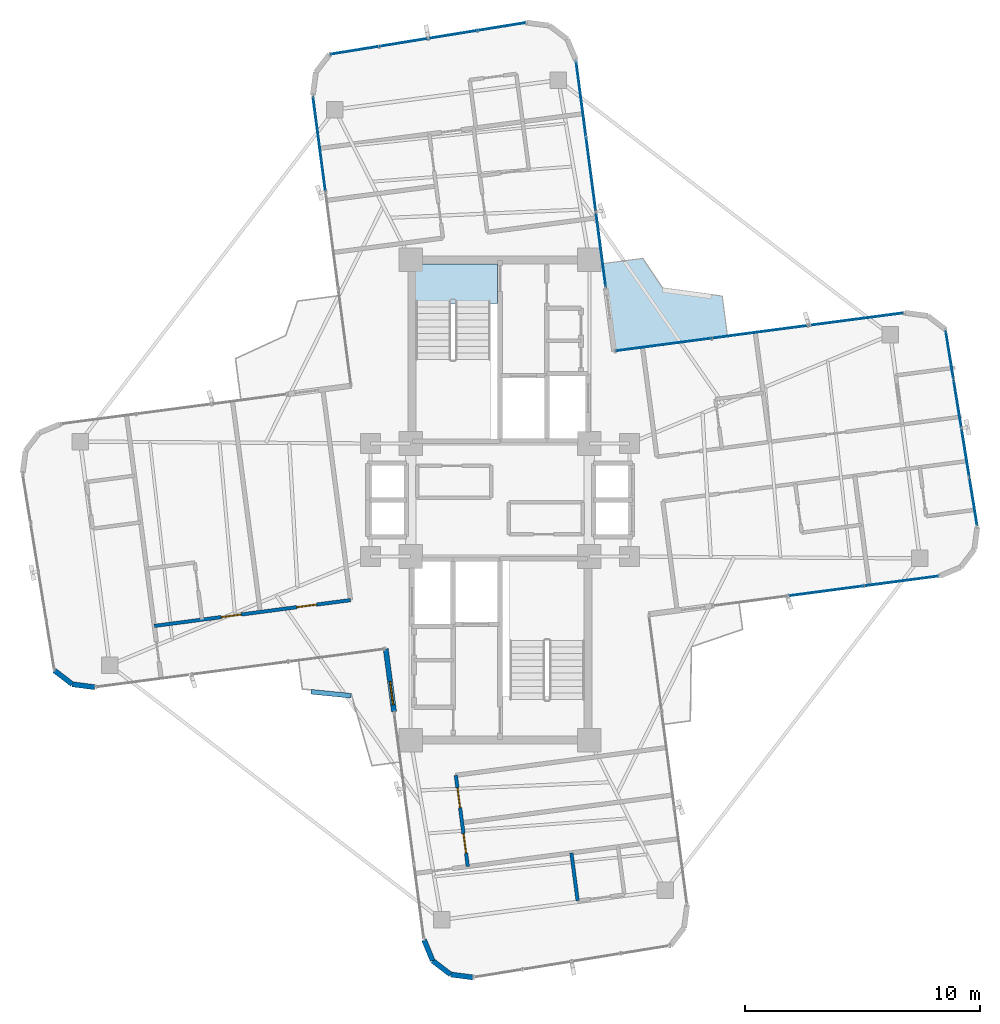
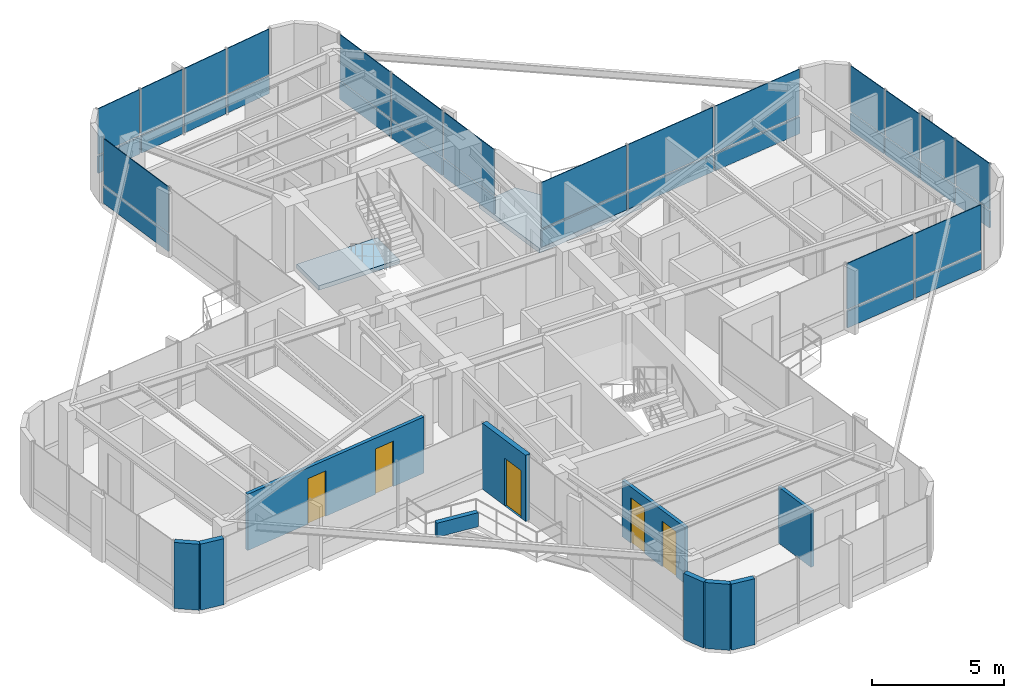
# One storey, part 18 of 23: 34 plates, 10 walls, 5 doors, 2 slabs, 5 openings, 6 elements without a shape of their own.
"""IFC4 building model written with IfcOpenShell, lengths in metres."""

from ifc_helpers import new_model, si_unit, direction, frame, frame_2d, origin, origin_2d, place, context, subcontext, project, spatial, polyline, rectangle, outline, extrude, source, transform, mapped, material, layer, layer_set, type_object, element, fill, aggregate, save


model = new_model("IFC4")

# Units and contexts
model_context = context("Model", 3, precision=1e-05, world=origin(), true_north=direction((0.0, 1.0)))
body_context = subcontext(model_context, "Body", "Model", "MODEL_VIEW")
ifc_project = project(units=[si_unit("LENGTHUNIT", "METRE"), si_unit("AREAUNIT", "SQUARE_METRE"), si_unit("VOLUMEUNIT", "CUBIC_METRE"), si_unit("PLANEANGLEUNIT", "RADIAN"), si_unit("MASSUNIT", "GRAM", prefix="KILO")], contexts=[model_context])

# Site, building, storey
site_placement = place(None, origin())
site = spatial("IfcSite", under=ifc_project, at=site_placement, CompositionType="ELEMENT")
building_placement = place(site_placement, origin())
building = spatial("IfcBuilding", under=site, at=building_placement, Name="Sahyath Konkavel Grand Hotel", CompositionType="ELEMENT")
storey_placement = place(building_placement, frame((0.0, 0.0, 226.60009765625)))
storey = spatial("IfcBuildingStorey", under=building, at=storey_placement, Name="L63", CompositionType="ELEMENT", Elevation=226.60009765625)

# Slabs
ifc_material_1 = material(Name="Concrete C40/50", Category="concrete")
ifc_layer_1 = layer(ifc_material_1, 0.219970703125)
ifc_layer_set_1 = layer_set([ifc_layer_1], Name="Concrete C40/50")
slab_type_1 = type_object("IfcSlabType", Name="SLB-BALCONY-220", PredefinedType="FLOOR", material=ifc_layer_set_1)
slab_1_placement = place(storey_placement, frame((0.0, 0.0, -0.22021484375)))
element("IfcSlab", 1, at=slab_1_placement, inside=storey, type_object=slab_type_1, Name="L63 Winter-Garden Balcony NE", PredefinedType="FLOOR", context=body_context, shape_type="SweptSolid", body=[
    extrude(outline(polyline([(4.85400390625, 6.32568359375), (9.665283203125, 6.958984375), (9.44091796875, 8.6630859375), (6.908935546875, 9.00390625), (6.068603515625, 10.264892578125), (4.36474609375, 10.04052734375), (4.85400390625, 6.32568359375)])), origin(), (0.0, 0.0, 1.0), 0.22021484375),
])
ifc_layer_2 = layer(ifc_material_1, 0.199951171875)
ifc_layer_set_2 = layer_set([ifc_layer_2], Name="Concrete C40/50")
slab_type_2 = type_object("IfcSlabType", Name="SLB-STAIR-LND", PredefinedType="LANDING", material=ifc_layer_set_2)
slab_2_placement = place(storey_placement, frame((0.0, 0.0, -0.2001953125)))
element("IfcSlab", 2, at=slab_2_placement, inside=storey, type_object=slab_type_2, Name="L63 Stair ST-1 Floor Landing Slab", PredefinedType="LANDING", context=body_context, shape_type="SweptSolid", body=[
    extrude(outline(polyline([(-3.6201171875, 8.35009765625), (-0.10009765625, 8.35009765625), (-0.10009765625, 10.02001953125), (-3.6201171875, 10.02001953125), (-3.6201171875, 8.35009765625)])), origin(), (0.0, 0.0, 1.0), 0.2001953125),
])

# Curtain wall, plates
ifc_material_2 = material(Name="Anodised Bronze Aluminium & Low-E Glazing", Category="aluminium")
curtain_wall_type = type_object("IfcCurtainWallType", Name="CW-ZONE4", PredefinedType="NOTDEFINED", material=ifc_material_2)
curtain_wall_1_placement = place(storey_placement, origin())
curtain_wall_1 = element("IfcCurtainWall", 3, at=curtain_wall_1_placement, inside=storey, type_object=curtain_wall_type, Name="L63 Unitised Curtain Wall F0", PredefinedType="NOTDEFINED")
ifc_material_3 = material(Name="Warm Buff Sandstone Cladding", Category="masonry")
ifc_layer_3 = layer(ifc_material_3, 0.074951171875)
ifc_layer_set_3 = layer_set([ifc_layer_3], Name="Warm Buff Sandstone Cladding")
plate_type_1 = type_object("IfcPlateType", Name="PNL-SPANDREL-STONE", PredefinedType="SHEET", material=ifc_layer_set_3)
shared_shape_1 = source(origin(), body_context, "Body", "SweptSolid", [
    extrude(rectangle(XDim=3.150634765625, YDim=0.074951171875, at=origin_2d()), origin(), (0.0, 0.0, 1.0), 0.77001953125),
])
plate_1_placement = place(storey_placement, frame((13.8466796875, -3.86376953125, 0.039794921875), z_axis=(0.0, 0.0, 1.0), x_axis=(0.991442583111, 0.130543496177, 0.0)))
plate_1 = element("IfcPlate", 4, at=plate_1_placement, type_object=plate_type_1, Name="L63 Sandstone Relief Spandrel Panel F0-1", PredefinedType="SHEET", context=body_context, shape_type="MappedRepresentation", body=[
    mapped(shared_shape_1, transform((0.0, 0.0, 0.0), scale=1.0)),
])
plate_2_placement = place(storey_placement, frame((17.0498046875, -3.44189453125, 0.039794921875), z_axis=(0.0, 0.0, 1.0), x_axis=(0.991442583111, 0.130543496177, 0.0)))
plate_2 = element("IfcPlate", 5, at=plate_2_placement, type_object=plate_type_1, Name="L63 Sandstone Relief Spandrel Panel F0-2", PredefinedType="SHEET", context=body_context, shape_type="MappedRepresentation", body=[
    mapped(shared_shape_1, transform((0.0, 0.0, 0.0), scale=1.0)),
])

curtain_wall_2_placement = place(storey_placement, origin())
curtain_wall_2 = element("IfcCurtainWall", 6, at=curtain_wall_2_placement, inside=storey, type_object=curtain_wall_type, Name="L63 Unitised Curtain Wall F8", PredefinedType="NOTDEFINED")
plate_3_placement = place(storey_placement, frame((4.285400390625, 10.643798828125, 0.039794921875), z_axis=(0.0, 0.0, 1.0), x_axis=(-0.130543496177, 0.991442583111, 0.0)))
plate_3 = element("IfcPlate", 7, at=plate_3_placement, type_object=plate_type_1, Name="L63 Sandstone Relief Spandrel Panel F8-0", PredefinedType="SHEET", context=body_context, shape_type="MappedRepresentation", body=[
    mapped(shared_shape_1, transform((0.0, 0.0, 0.0), scale=1.0)),
])
plate_4_placement = place(storey_placement, frame((3.86376953125, 13.8466796875, 0.039794921875), z_axis=(0.0, 0.0, 1.0), x_axis=(-0.130543496177, 0.991442583111, 0.0)))
plate_4 = element("IfcPlate", 8, at=plate_4_placement, type_object=plate_type_1, Name="L63 Sandstone Relief Spandrel Panel F8-1", PredefinedType="SHEET", context=body_context, shape_type="MappedRepresentation", body=[
    mapped(shared_shape_1, transform((0.0, 0.0, 0.0), scale=1.0)),
])
plate_5_placement = place(storey_placement, frame((3.44189453125, 17.0498046875, 0.039794921875), z_axis=(0.0, 0.0, 1.0), x_axis=(-0.130543496177, 0.991442583111, 0.0)))
plate_5 = element("IfcPlate", 9, at=plate_5_placement, type_object=plate_type_1, Name="L63 Sandstone Relief Spandrel Panel F8-2", PredefinedType="SHEET", context=body_context, shape_type="MappedRepresentation", body=[
    mapped(shared_shape_1, transform((0.0, 0.0, 0.0), scale=1.0)),
])

# Plate
ifc_material_4 = material(Name="Low-E Solar Control Double Glazing", Category="glass")
ifc_layer_4 = layer(ifc_material_4, 0.035888671875)
ifc_layer_set_4 = layer_set([ifc_layer_4], Name="Low-E Solar Control Double Glazing")
plate_type_2 = type_object("IfcPlateType", Name="PNL-VISION-LOWE", PredefinedType="CURTAIN_PANEL", material=ifc_layer_set_4)
shared_shape_2 = source(origin(), body_context, "Body", "SweptSolid", [
    extrude(rectangle(XDim=3.150634765625, YDim=0.035888671875, at=origin_2d()), origin(), (0.0, 0.0, 1.0), 2.1201171875),
])
plate_6_placement = place(storey_placement, frame((13.8466796875, -3.86376953125, 0.889892578125), z_axis=(0.0, 0.0, 1.0), x_axis=(0.991442583111, 0.130543496177, 0.0)))
plate_6 = element("IfcPlate", 10, at=plate_6_placement, type_object=plate_type_2, Name="L63 Low-E Vision Glazing Panel F0-1", PredefinedType="CURTAIN_PANEL", context=body_context, shape_type="MappedRepresentation", body=[
    mapped(shared_shape_2, transform((0.0, 0.0, 0.0), scale=1.0)),
])

plate_7_placement = place(storey_placement, frame((17.0498046875, -3.44189453125, 0.889892578125), z_axis=(0.0, 0.0, 1.0), x_axis=(0.991442583111, 0.130543496177, 0.0)))
plate_7 = element("IfcPlate", 11, at=plate_7_placement, type_object=plate_type_2, Name="L63 Low-E Vision Glazing Panel F0-2", PredefinedType="CURTAIN_PANEL", context=body_context, shape_type="MappedRepresentation", body=[
    mapped(shared_shape_2, transform((0.0, 0.0, 0.0), scale=1.0)),
])

aggregate(curtain_wall_1, [plate_1, plate_6, plate_2, plate_7])

plate_8_placement = place(storey_placement, frame((4.285400390625, 10.643798828125, 0.889892578125), z_axis=(0.0, 0.0, 1.0), x_axis=(-0.130543496177, 0.991442583111, 0.0)))
plate_8 = element("IfcPlate", 12, at=plate_8_placement, type_object=plate_type_2, Name="L63 Low-E Vision Glazing Panel F8-0", PredefinedType="CURTAIN_PANEL", context=body_context, shape_type="MappedRepresentation", body=[
    mapped(shared_shape_2, transform((0.0, 0.0, 0.0), scale=1.0)),
])

plate_9_placement = place(storey_placement, frame((3.86376953125, 13.8466796875, 0.889892578125), z_axis=(0.0, 0.0, 1.0), x_axis=(-0.130543496177, 0.991442583111, 0.0)))
plate_9 = element("IfcPlate", 13, at=plate_9_placement, type_object=plate_type_2, Name="L63 Low-E Vision Glazing Panel F8-1", PredefinedType="CURTAIN_PANEL", context=body_context, shape_type="MappedRepresentation", body=[
    mapped(shared_shape_2, transform((0.0, 0.0, 0.0), scale=1.0)),
])

plate_10_placement = place(storey_placement, frame((3.44189453125, 17.0498046875, 0.889892578125), z_axis=(0.0, 0.0, 1.0), x_axis=(-0.130543496177, 0.991442583111, 0.0)))
plate_10 = element("IfcPlate", 14, at=plate_10_placement, type_object=plate_type_2, Name="L63 Low-E Vision Glazing Panel F8-2", PredefinedType="CURTAIN_PANEL", context=body_context, shape_type="MappedRepresentation", body=[
    mapped(shared_shape_2, transform((0.0, 0.0, 0.0), scale=1.0)),
])

aggregate(curtain_wall_2, [plate_3, plate_8, plate_4, plate_9, plate_5, plate_10])

# Curtain wall, plates
curtain_wall_3_placement = place(storey_placement, origin())
curtain_wall_3 = element("IfcCurtainWall", 15, at=curtain_wall_3_placement, inside=storey, type_object=curtain_wall_type, Name="L63 Unitised Curtain Wall F4", PredefinedType="NOTDEFINED")
shared_shape_3 = source(origin(), body_context, "Body", "SweptSolid", [
    extrude(rectangle(XDim=2.026123046875, YDim=0.074951171875, at=origin_2d()), origin(), (0.0, 0.0, 1.0), 0.77001953125),
])
plate_11_placement = place(storey_placement, frame((20.109619140625, -0.0712890625, 0.039794921875), z_axis=(0.0, 0.0, 1.0), x_axis=(-0.15936430246, 0.987219843349, 0.0)))
plate_11 = element("IfcPlate", 16, at=plate_11_placement, type_object=plate_type_1, Name="L63 Sandstone Relief Spandrel Panel F4-0", PredefinedType="SHEET", context=body_context, shape_type="MappedRepresentation", body=[
    mapped(shared_shape_3, transform((0.0, 0.0, 0.0), scale=1.0)),
])
plate_12_placement = place(storey_placement, frame((19.77392578125, 2.008056640625, 0.039794921875), z_axis=(0.0, 0.0, 1.0), x_axis=(-0.15936430246, 0.987219843349, 0.0)))
plate_12 = element("IfcPlate", 17, at=plate_12_placement, type_object=plate_type_1, Name="L63 Sandstone Relief Spandrel Panel F4-1", PredefinedType="SHEET", context=body_context, shape_type="MappedRepresentation", body=[
    mapped(shared_shape_3, transform((0.0, 0.0, 0.0), scale=1.0)),
])
plate_13_placement = place(storey_placement, frame((19.438232421875, 4.08740234375, 0.039794921875), z_axis=(0.0, 0.0, 1.0), x_axis=(-0.15936430246, 0.987219843349, 0.0)))
plate_13 = element("IfcPlate", 18, at=plate_13_placement, type_object=plate_type_1, Name="L63 Sandstone Relief Spandrel Panel F4-2", PredefinedType="SHEET", context=body_context, shape_type="MappedRepresentation", body=[
    mapped(shared_shape_3, transform((0.0, 0.0, 0.0), scale=1.0)),
])
plate_14_placement = place(storey_placement, frame((19.1025390625, 6.16650390625, 0.039794921875), z_axis=(0.0, 0.0, 1.0), x_axis=(-0.15936430246, 0.987219843349, 0.0)))
plate_14 = element("IfcPlate", 19, at=plate_14_placement, type_object=plate_type_1, Name="L63 Sandstone Relief Spandrel Panel F4-3", PredefinedType="SHEET", context=body_context, shape_type="MappedRepresentation", body=[
    mapped(shared_shape_3, transform((0.0, 0.0, 0.0), scale=1.0)),
])

curtain_wall_4_placement = place(storey_placement, origin())
curtain_wall_4 = element("IfcCurtainWall", 20, at=curtain_wall_4_placement, inside=storey, type_object=curtain_wall_type, Name="L63 Unitised Curtain Wall F12", PredefinedType="NOTDEFINED")
plate_15_placement = place(storey_placement, frame((0.0712890625, 20.109619140625, 0.039794921875), z_axis=(0.0, 0.0, 1.0), x_axis=(-0.987219843349, -0.15936430246, 0.0)))
plate_15 = element("IfcPlate", 21, at=plate_15_placement, type_object=plate_type_1, Name="L63 Sandstone Relief Spandrel Panel F12-0", PredefinedType="SHEET", context=body_context, shape_type="MappedRepresentation", body=[
    mapped(shared_shape_3, transform((0.0, 0.0, 0.0), scale=1.0)),
])
plate_16_placement = place(storey_placement, frame((-2.008056640625, 19.77392578125, 0.039794921875), z_axis=(0.0, 0.0, 1.0), x_axis=(-0.987219843349, -0.15936430246, 0.0)))
plate_16 = element("IfcPlate", 22, at=plate_16_placement, type_object=plate_type_1, Name="L63 Sandstone Relief Spandrel Panel F12-1", PredefinedType="SHEET", context=body_context, shape_type="MappedRepresentation", body=[
    mapped(shared_shape_3, transform((0.0, 0.0, 0.0), scale=1.0)),
])
plate_17_placement = place(storey_placement, frame((-4.08740234375, 19.438232421875, 0.039794921875), z_axis=(0.0, 0.0, 1.0), x_axis=(-0.987219843349, -0.15936430246, 0.0)))
plate_17 = element("IfcPlate", 23, at=plate_17_placement, type_object=plate_type_1, Name="L63 Sandstone Relief Spandrel Panel F12-2", PredefinedType="SHEET", context=body_context, shape_type="MappedRepresentation", body=[
    mapped(shared_shape_3, transform((0.0, 0.0, 0.0), scale=1.0)),
])
plate_18_placement = place(storey_placement, frame((-6.16650390625, 19.1025390625, 0.039794921875), z_axis=(0.0, 0.0, 1.0), x_axis=(-0.987219843349, -0.15936430246, 0.0)))
plate_18 = element("IfcPlate", 24, at=plate_18_placement, type_object=plate_type_1, Name="L63 Sandstone Relief Spandrel Panel F12-3", PredefinedType="SHEET", context=body_context, shape_type="MappedRepresentation", body=[
    mapped(shared_shape_3, transform((0.0, 0.0, 0.0), scale=1.0)),
])

# Plate
shared_shape_4 = source(origin(), body_context, "Body", "SweptSolid", [
    extrude(rectangle(XDim=2.026123046875, YDim=0.035888671875, at=origin_2d()), origin(), (0.0, 0.0, 1.0), 2.1201171875),
])
plate_19_placement = place(storey_placement, frame((20.109619140625, -0.0712890625, 0.889892578125), z_axis=(0.0, 0.0, 1.0), x_axis=(-0.15936430246, 0.987219843349, 0.0)))
plate_19 = element("IfcPlate", 25, at=plate_19_placement, type_object=plate_type_2, Name="L63 Low-E Vision Glazing Panel F4-0", PredefinedType="CURTAIN_PANEL", context=body_context, shape_type="MappedRepresentation", body=[
    mapped(shared_shape_4, transform((0.0, 0.0, 0.0), scale=1.0)),
])

plate_20_placement = place(storey_placement, frame((19.77392578125, 2.008056640625, 0.889892578125), z_axis=(0.0, 0.0, 1.0), x_axis=(-0.15936430246, 0.987219843349, 0.0)))
plate_20 = element("IfcPlate", 26, at=plate_20_placement, type_object=plate_type_2, Name="L63 Low-E Vision Glazing Panel F4-1", PredefinedType="CURTAIN_PANEL", context=body_context, shape_type="MappedRepresentation", body=[
    mapped(shared_shape_4, transform((0.0, 0.0, 0.0), scale=1.0)),
])

plate_21_placement = place(storey_placement, frame((19.438232421875, 4.08740234375, 0.889892578125), z_axis=(0.0, 0.0, 1.0), x_axis=(-0.15936430246, 0.987219843349, 0.0)))
plate_21 = element("IfcPlate", 27, at=plate_21_placement, type_object=plate_type_2, Name="L63 Low-E Vision Glazing Panel F4-2", PredefinedType="CURTAIN_PANEL", context=body_context, shape_type="MappedRepresentation", body=[
    mapped(shared_shape_4, transform((0.0, 0.0, 0.0), scale=1.0)),
])

plate_22_placement = place(storey_placement, frame((19.1025390625, 6.16650390625, 0.889892578125), z_axis=(0.0, 0.0, 1.0), x_axis=(-0.15936430246, 0.987219843349, 0.0)))
plate_22 = element("IfcPlate", 28, at=plate_22_placement, type_object=plate_type_2, Name="L63 Low-E Vision Glazing Panel F4-3", PredefinedType="CURTAIN_PANEL", context=body_context, shape_type="MappedRepresentation", body=[
    mapped(shared_shape_4, transform((0.0, 0.0, 0.0), scale=1.0)),
])

aggregate(curtain_wall_3, [plate_11, plate_19, plate_12, plate_20, plate_13, plate_21, plate_14, plate_22])

plate_23_placement = place(storey_placement, frame((0.0712890625, 20.109619140625, 0.889892578125), z_axis=(0.0, 0.0, 1.0), x_axis=(-0.987219843349, -0.15936430246, 0.0)))
plate_23 = element("IfcPlate", 29, at=plate_23_placement, type_object=plate_type_2, Name="L63 Low-E Vision Glazing Panel F12-0", PredefinedType="CURTAIN_PANEL", context=body_context, shape_type="MappedRepresentation", body=[
    mapped(shared_shape_4, transform((0.0, 0.0, 0.0), scale=1.0)),
])

plate_24_placement = place(storey_placement, frame((-2.008056640625, 19.77392578125, 0.889892578125), z_axis=(0.0, 0.0, 1.0), x_axis=(-0.987219843349, -0.15936430246, 0.0)))
plate_24 = element("IfcPlate", 30, at=plate_24_placement, type_object=plate_type_2, Name="L63 Low-E Vision Glazing Panel F12-1", PredefinedType="CURTAIN_PANEL", context=body_context, shape_type="MappedRepresentation", body=[
    mapped(shared_shape_4, transform((0.0, 0.0, 0.0), scale=1.0)),
])

plate_25_placement = place(storey_placement, frame((-4.08740234375, 19.438232421875, 0.889892578125), z_axis=(0.0, 0.0, 1.0), x_axis=(-0.987219843349, -0.15936430246, 0.0)))
plate_25 = element("IfcPlate", 31, at=plate_25_placement, type_object=plate_type_2, Name="L63 Low-E Vision Glazing Panel F12-2", PredefinedType="CURTAIN_PANEL", context=body_context, shape_type="MappedRepresentation", body=[
    mapped(shared_shape_4, transform((0.0, 0.0, 0.0), scale=1.0)),
])

plate_26_placement = place(storey_placement, frame((-6.16650390625, 19.1025390625, 0.889892578125), z_axis=(0.0, 0.0, 1.0), x_axis=(-0.987219843349, -0.15936430246, 0.0)))
plate_26 = element("IfcPlate", 32, at=plate_26_placement, type_object=plate_type_2, Name="L63 Low-E Vision Glazing Panel F12-3", PredefinedType="CURTAIN_PANEL", context=body_context, shape_type="MappedRepresentation", body=[
    mapped(shared_shape_4, transform((0.0, 0.0, 0.0), scale=1.0)),
])

aggregate(curtain_wall_4, [plate_15, plate_23, plate_16, plate_24, plate_17, plate_25, plate_18, plate_26])

# Curtain wall, plates
curtain_wall_5_placement = place(storey_placement, origin())
curtain_wall_5 = element("IfcCurtainWall", 33, at=curtain_wall_5_placement, inside=storey, type_object=curtain_wall_type, Name="L63 Unitised Curtain Wall F7", PredefinedType="NOTDEFINED")
shared_shape_5 = source(origin(), body_context, "Body", "SweptSolid", [
    extrude(rectangle(XDim=4.05078125, YDim=0.074951171875, at=origin_2d()), origin(), (0.0, 0.0, 1.0), 0.77001953125),
])
plate_27_placement = place(storey_placement, frame((15.1318359375, 7.6787109375, 0.039794921875), z_axis=(0.0, 0.0, 1.0), x_axis=(-0.991444861374, -0.13052619222, 0.0)))
plate_27 = element("IfcPlate", 34, at=plate_27_placement, type_object=plate_type_1, Name="L63 Sandstone Relief Spandrel Panel F7-0", PredefinedType="SHEET", context=body_context, shape_type="MappedRepresentation", body=[
    mapped(shared_shape_5, transform((0.0, 0.0, 0.0), scale=1.0)),
])
plate_28_placement = place(storey_placement, frame((11.03662109375, 7.1396484375, 0.039794921875), z_axis=(0.0, 0.0, 1.0), x_axis=(-0.991444861374, -0.13052619222, 0.0)))
plate_28 = element("IfcPlate", 35, at=plate_28_placement, type_object=plate_type_1, Name="L63 Sandstone Relief Spandrel Panel F7-1", PredefinedType="SHEET", context=body_context, shape_type="MappedRepresentation", body=[
    mapped(shared_shape_5, transform((0.0, 0.0, 0.0), scale=1.0)),
])
plate_29_placement = place(storey_placement, frame((6.94140625, 6.6005859375, 0.039794921875), z_axis=(0.0, 0.0, 1.0), x_axis=(-0.991444861374, -0.13052619222, 0.0)))
plate_29 = element("IfcPlate", 36, at=plate_29_placement, type_object=plate_type_1, Name="L63 Sandstone Relief Spandrel Panel F7-2", PredefinedType="SHEET", context=body_context, shape_type="MappedRepresentation", body=[
    mapped(shared_shape_5, transform((0.0, 0.0, 0.0), scale=1.0)),
])

# Curtain wall, plate
curtain_wall_6_placement = place(storey_placement, origin())
curtain_wall_6 = element("IfcCurtainWall", 37, at=curtain_wall_6_placement, inside=storey, type_object=curtain_wall_type, Name="L63 Unitised Curtain Wall F15", PredefinedType="NOTDEFINED")
plate_30_placement = place(storey_placement, frame((-7.6787109375, 15.1318359375, 0.039794921875), z_axis=(0.0, 0.0, 1.0), x_axis=(0.13052619222, -0.991444861374, 0.0)))
plate_30 = element("IfcPlate", 38, at=plate_30_placement, type_object=plate_type_1, Name="L63 Sandstone Relief Spandrel Panel F15-0", PredefinedType="SHEET", context=body_context, shape_type="MappedRepresentation", body=[
    mapped(shared_shape_5, transform((0.0, 0.0, 0.0), scale=1.0)),
])

# Plate
shared_shape_6 = source(origin(), body_context, "Body", "SweptSolid", [
    extrude(rectangle(XDim=4.05078125, YDim=0.035888671875, at=origin_2d()), origin(), (0.0, 0.0, 1.0), 2.1201171875),
])
plate_31_placement = place(storey_placement, frame((15.1318359375, 7.6787109375, 0.889892578125), z_axis=(0.0, 0.0, 1.0), x_axis=(-0.991444861374, -0.13052619222, 0.0)))
plate_31 = element("IfcPlate", 39, at=plate_31_placement, type_object=plate_type_2, Name="L63 Low-E Vision Glazing Panel F7-0", PredefinedType="CURTAIN_PANEL", context=body_context, shape_type="MappedRepresentation", body=[
    mapped(shared_shape_6, transform((0.0, 0.0, 0.0), scale=1.0)),
])

plate_32_placement = place(storey_placement, frame((11.03662109375, 7.1396484375, 0.889892578125), z_axis=(0.0, 0.0, 1.0), x_axis=(-0.991444861374, -0.13052619222, 0.0)))
plate_32 = element("IfcPlate", 40, at=plate_32_placement, type_object=plate_type_2, Name="L63 Low-E Vision Glazing Panel F7-1", PredefinedType="CURTAIN_PANEL", context=body_context, shape_type="MappedRepresentation", body=[
    mapped(shared_shape_6, transform((0.0, 0.0, 0.0), scale=1.0)),
])

plate_33_placement = place(storey_placement, frame((6.94140625, 6.6005859375, 0.889892578125), z_axis=(0.0, 0.0, 1.0), x_axis=(-0.991444861374, -0.13052619222, 0.0)))
plate_33 = element("IfcPlate", 41, at=plate_33_placement, type_object=plate_type_2, Name="L63 Low-E Vision Glazing Panel F7-2", PredefinedType="CURTAIN_PANEL", context=body_context, shape_type="MappedRepresentation", body=[
    mapped(shared_shape_6, transform((0.0, 0.0, 0.0), scale=1.0)),
])

aggregate(curtain_wall_5, [plate_27, plate_31, plate_28, plate_32, plate_29, plate_33])

plate_34_placement = place(storey_placement, frame((-7.6787109375, 15.1318359375, 0.889892578125), z_axis=(0.0, 0.0, 1.0), x_axis=(0.13052619222, -0.991444861374, 0.0)))
plate_34 = element("IfcPlate", 42, at=plate_34_placement, type_object=plate_type_2, Name="L63 Low-E Vision Glazing Panel F15-0", PredefinedType="CURTAIN_PANEL", context=body_context, shape_type="MappedRepresentation", body=[
    mapped(shared_shape_6, transform((0.0, 0.0, 0.0), scale=1.0)),
])

aggregate(curtain_wall_6, [plate_30, plate_34])

# Walls
ifc_material_5 = material(Name="Warm Buff Sandstone Insulated Concrete C40/50", Category="masonry")
ifc_layer_5 = layer(ifc_material_5, 0.219970703125)
ifc_layer_set_5 = layer_set([ifc_layer_5], Name="Warm Buff Sandstone Insulated Concrete C40/50")
wall_type_1 = type_object("IfcWallType", Name="WLL-BALC-THRESH", PredefinedType="STANDARD", material=ifc_layer_set_5)
wall_1_placement = place(storey_placement, frame((-18.92822265625, -7.24560546875, 0.0), z_axis=(0.0, 0.0, 1.0), x_axis=(0.793249178392, -0.608897151398, 0.0)))
element("IfcWall", 43, at=wall_1_placement, inside=storey, type_object=wall_type_1, Name="L63 Rounded Corner Sandstone Pier 21", PredefinedType="STANDARD", context=body_context, shape_type="SweptSolid", body=[
    extrude(rectangle(XDim=0.95751953125, YDim=0.219970703125, at=frame_2d((0.478759765625, 0.0))), origin(), (0.0, 0.0, 1.0), 3.0498046875),
])
wall_2_placement = place(storey_placement, frame((-18.168701171875, -7.82861328125, 0.0), z_axis=(0.0, 0.0, 1.0), x_axis=(0.991444747987, -0.130527053476, 0.0)))
element("IfcWall", 44, at=wall_2_placement, inside=storey, type_object=wall_type_1, Name="L63 Rounded Corner Sandstone Pier 22", PredefinedType="STANDARD", context=body_context, shape_type="SweptSolid", body=[
    extrude(rectangle(XDim=0.957763671875, YDim=0.219970703125, at=frame_2d((0.47900390625, 0.0))), origin(), (0.0, 0.0, 1.0), 3.0498046875),
])

# Wall, opening, door
wall_3_placement = place(storey_placement, frame((-4.85400390625, -6.32568359375, 0.0), z_axis=(0.0, 0.0, 1.0), x_axis=(0.130564442062, -0.991439824936, 0.0)))
wall_3 = element("IfcWall", 45, at=wall_3_placement, inside=storey, type_object=wall_type_1, Name="L63 Winter-Garden Threshold Wall 24", PredefinedType="STANDARD", context=body_context, shape_type="SweptSolid", body=[
    extrude(rectangle(XDim=2.7001953125, YDim=0.219970703125, at=frame_2d((1.35009765625, 0.0))), origin(), (0.0, 0.0, 1.0), 3.0498046875),
])
opening_1_placement = place(wall_3_placement, frame((1.39990234375, 0.0, 0.0)))
opening_1 = element("IfcOpeningElement", 46, at=opening_1_placement, cuts=wall_3, Name="Opening D-TR1", PredefinedType="OPENING", context=body_context, shape_type="SweptSolid", body=[
    extrude(rectangle(XDim=1.0, YDim=2.199951171875, at=frame_2d((0.5, 1.10009765625))), frame((0.0, 0.1201171875, 0.0), z_axis=(0.0, -1.0, 0.0), x_axis=(1.0, 0.0, 0.0)), (0.0, 0.0, 1.0), 0.239990234375),
])
door_type_1 = type_object("IfcDoorType", Name="DR-TERRACE-1000", OperationType="NOTDEFINED", PredefinedType="DOOR", material=ifc_material_2)
shared_shape_7 = source(origin(), body_context, "Body", "SweptSolid", [
    extrude(rectangle(XDim=1.0, YDim=0.050048828125, at=origin_2d()), origin(), (0.0, 0.0, 1.0), 2.199951171875),
])
door_1_placement = place(opening_1_placement, frame((0.5, 0.0, 0.0)))
door_1 = element("IfcDoor", 47, at=door_1_placement, inside=storey, type_object=door_type_1, Name="L63 Winter-Garden Terrace Door 24", OperationType="SINGLE_SWING_LEFT", OverallHeight=2.199951171875, OverallWidth=1.0, PredefinedType="DOOR", context=body_context, shape_type="MappedRepresentation", body=[
    mapped(shared_shape_7, transform((0.0, 0.0, 0.0), scale=1.0)),
])
fill(opening_1, door_1)

# Walls
wall_4_placement = place(storey_placement, frame((-3.225830078125, -18.69091796875, 0.0), z_axis=(0.0, 0.0, 1.0), x_axis=(0.382441868588, -0.923979554509, 0.0)))
element("IfcWall", 48, at=wall_4_placement, inside=storey, type_object=wall_type_1, Name="L63 Rounded Corner Sandstone Pier 25", PredefinedType="STANDARD", context=body_context, shape_type="SweptSolid", body=[
    extrude(rectangle(XDim=0.95751953125, YDim=0.219970703125, at=frame_2d((0.478759765625, 0.0))), origin(), (0.0, 0.0, 1.0), 3.0498046875),
])
wall_5_placement = place(storey_placement, frame((-2.859619140625, -19.57568359375, 0.0), z_axis=(0.0, 0.0, 1.0), x_axis=(0.79343813584, -0.60865090536, 0.0)))
element("IfcWall", 49, at=wall_5_placement, inside=storey, type_object=wall_type_1, Name="L63 Rounded Corner Sandstone Pier 26", PredefinedType="STANDARD", context=body_context, shape_type="SweptSolid", body=[
    extrude(rectangle(XDim=0.957763671875, YDim=0.219970703125, at=frame_2d((0.47900390625, 0.0))), origin(), (0.0, 0.0, 1.0), 3.0498046875),
])
wall_6_placement = place(storey_placement, frame((-2.099609375, -20.15869140625, 0.0), z_axis=(0.0, 0.0, 1.0), x_axis=(0.991440402921, -0.13056005306, 0.0)))
element("IfcWall", 50, at=wall_6_placement, inside=storey, type_object=wall_type_1, Name="L63 Rounded Corner Sandstone Pier 27", PredefinedType="STANDARD", context=body_context, shape_type="SweptSolid", body=[
    extrude(rectangle(XDim=0.95751953125, YDim=0.219970703125, at=frame_2d((0.478759765625, 0.0))), origin(), (0.0, 0.0, 1.0), 3.0498046875),
])

# Wall, openings, doors
ifc_material_6 = material(Name="Fire-Rated Gypsum Plasterboard Partition")
ifc_layer_6 = layer(ifc_material_6, 0.14990234375)
ifc_layer_set_6 = layer_set([ifc_layer_6], Name="Fire-Rated Gypsum Plasterboard Partition")
wall_type_2 = type_object("IfcWallType", Name="WLL-PART-150", PredefinedType="PARTITIONING", material=ifc_layer_set_6)
wall_7_placement = place(storey_placement, frame((-6.34912109375, -4.253173828125, 0.0), z_axis=(0.0, 0.0, 1.0), x_axis=(-0.991446092588, -0.130516839876, 0.0)))
wall_7 = element("IfcWall", 51, at=wall_7_placement, inside=storey, type_object=wall_type_2, Name="L63 Partition W-G5W", PredefinedType="PARTITIONING", context=body_context, shape_type="SweptSolid", body=[
    extrude(rectangle(XDim=8.41015625, YDim=0.14990234375, at=frame_2d((4.205078125, 0.0))), origin(), (0.0, 0.0, 1.0), 2.599853515625),
])
opening_2_placement = place(wall_7_placement, frame((1.458984375, 0.0, 0.0)))
opening_2 = element("IfcOpeningElement", 52, at=opening_2_placement, cuts=wall_7, Name="Opening D-F06D", PredefinedType="OPENING", context=body_context, shape_type="SweptSolid", body=[
    extrude(rectangle(XDim=0.85009765625, YDim=2.10009765625, at=frame_2d((0.425048828125, 1.050048828125))), frame((0.0, 0.0849609375, 0.0), z_axis=(0.0, -1.0, 0.0), x_axis=(1.0, 0.0, 0.0)), (0.0, 0.0, 1.0), 0.169921875),
])
opening_3_placement = place(wall_7_placement, frame((4.68994140625, 0.0, 0.0)))
opening_3 = element("IfcOpeningElement", 53, at=opening_3_placement, cuts=wall_7, Name="Opening D-F06D", PredefinedType="OPENING", context=body_context, shape_type="SweptSolid", body=[
    extrude(rectangle(XDim=0.85009765625, YDim=2.10009765625, at=frame_2d((0.425048828125, 1.050048828125))), frame((0.0, 0.0849609375, 0.0), z_axis=(0.0, -1.0, 0.0), x_axis=(1.0, 0.0, 0.0)), (0.0, 0.0, 1.0), 0.169921875),
])
ifc_material_7 = material(Name="Fire-Rated Shaft Access Door")
door_type_2 = type_object("IfcDoorType", Name="DR-FD60-850", OperationType="NOTDEFINED", PredefinedType="DOOR", material=ifc_material_7)
shared_shape_8 = source(origin(), body_context, "Body", "SweptSolid", [
    extrude(rectangle(XDim=0.85009765625, YDim=0.050048828125, at=origin_2d()), origin(), (0.0, 0.0, 1.0), 2.10009765625),
])
door_2_placement = place(opening_2_placement, frame((0.425048828125, 0.0, 0.0)))
door_2 = element("IfcDoor", 54, at=door_2_placement, inside=storey, type_object=door_type_2, Name="L63 Door W-WD1-D", OperationType="SINGLE_SWING_LEFT", OverallHeight=2.10009765625, OverallWidth=0.85009765625, PredefinedType="DOOR", context=body_context, shape_type="MappedRepresentation", body=[
    mapped(shared_shape_8, transform((0.0, 0.0, 0.0), scale=1.0)),
])
fill(opening_2, door_2)
door_3_placement = place(opening_3_placement, frame((0.425048828125, 0.0, 0.0)))
door_3 = element("IfcDoor", 55, at=door_3_placement, inside=storey, type_object=door_type_2, Name="L63 Door W-WD2-ED", OperationType="SINGLE_SWING_LEFT", OverallHeight=2.10009765625, OverallWidth=0.85009765625, PredefinedType="DOOR", context=body_context, shape_type="MappedRepresentation", body=[
    mapped(shared_shape_8, transform((0.0, 0.0, 0.0), scale=1.0)),
])
fill(opening_3, door_3)

wall_8_placement = place(storey_placement, frame((-1.87744140625, -11.695068359375, 0.0), z_axis=(0.0, 0.0, 1.0), x_axis=(0.130494890856, -0.991448981774, 0.0)))
wall_8 = element("IfcWall", 56, at=wall_8_placement, inside=storey, type_object=wall_type_2, Name="L63 Partition S-G6W", PredefinedType="PARTITIONING", context=body_context, shape_type="SweptSolid", body=[
    extrude(rectangle(XDim=3.91015625, YDim=0.14990234375, at=frame_2d((1.955078125, 0.0))), origin(), (0.0, 0.0, 1.0), 2.599853515625),
])
opening_4_placement = place(wall_8_placement, frame((0.541015625, 0.0, 0.0)))
opening_4 = element("IfcOpeningElement", 57, at=opening_4_placement, cuts=wall_8, Name="Opening D-F06D", PredefinedType="OPENING", context=body_context, shape_type="SweptSolid", body=[
    extrude(rectangle(XDim=0.85009765625, YDim=2.10009765625, at=frame_2d((0.425048828125, 1.050048828125))), frame((0.0, 0.0849609375, 0.0), z_axis=(0.0, -1.0, 0.0), x_axis=(1.0, 0.0, 0.0)), (0.0, 0.0, 1.0), 0.169921875),
])
opening_5_placement = place(wall_8_placement, frame((2.4970703125, 0.0, 0.0)))
opening_5 = element("IfcOpeningElement", 58, at=opening_5_placement, cuts=wall_8, Name="Opening D-F06D", PredefinedType="OPENING", context=body_context, shape_type="SweptSolid", body=[
    extrude(rectangle(XDim=0.85009765625, YDim=2.10009765625, at=frame_2d((0.425048828125, 1.050048828125))), frame((0.0, 0.0849609375, 0.0), z_axis=(0.0, -1.0, 0.0), x_axis=(1.0, 0.0, 0.0)), (0.0, 0.0, 1.0), 0.169921875),
])
door_4_placement = place(opening_4_placement, frame((0.425048828125, 0.0, 0.0)))
door_4 = element("IfcDoor", 59, at=door_4_placement, inside=storey, type_object=door_type_2, Name="L63 Door S-SSL6-D", OperationType="SINGLE_SWING_RIGHT", OverallHeight=2.10009765625, OverallWidth=0.85009765625, PredefinedType="DOOR", context=body_context, shape_type="MappedRepresentation", body=[
    mapped(shared_shape_8, transform((0.0, 0.0, 0.0), scale=1.0)),
])
fill(opening_4, door_4)
door_5_placement = place(opening_5_placement, frame((0.425048828125, 0.0, 0.0)))
door_5 = element("IfcDoor", 60, at=door_5_placement, inside=storey, type_object=door_type_2, Name="L63 Door S-SD6-D", OperationType="SINGLE_SWING_LEFT", OverallHeight=2.10009765625, OverallWidth=0.85009765625, PredefinedType="DOOR", context=body_context, shape_type="MappedRepresentation", body=[
    mapped(shared_shape_8, transform((0.0, 0.0, 0.0), scale=1.0)),
])
fill(opening_5, door_5)

# Walls
wall_9_placement = place(storey_placement, frame((3.03271484375, -14.992431640625, 0.0), z_axis=(0.0, 0.0, 1.0), x_axis=(0.13052536781, -0.991444969909, 0.0)))
element("IfcWall", 61, at=wall_9_placement, inside=storey, type_object=wall_type_2, Name="L63 Partition S-STIP-BS", PredefinedType="PARTITIONING", context=body_context, shape_type="SweptSolid", body=[
    extrude(rectangle(XDim=2.050048828125, YDim=0.14990234375, at=frame_2d((1.02490234375, 0.0))), origin(), (0.0, 0.0, 1.0), 2.599853515625),
])
ifc_material_8 = material(Name="Warm Buff Sandstone Planter Wall", Category="masonry")
ifc_layer_7 = layer(ifc_material_8, 0.199951171875)
ifc_layer_set_7 = layer_set([ifc_layer_7], Name="Warm Buff Sandstone Planter Wall")
wall_type_3 = type_object("IfcWallType", Name="WLL-PLANTER-200", PredefinedType="PARAPET", material=ifc_layer_set_7)
wall_10_placement = place(storey_placement, frame((-8.029052734375, -8.146728515625, 0.0), z_axis=(0.0, 0.0, 1.0), x_axis=(0.994942224458, -0.100448842653, 0.0)))
element("IfcWall", 62, at=wall_10_placement, inside=storey, type_object=wall_type_3, Name="L63 Sky-Garden Stone Planter PLANTER SW", PredefinedType="PARAPET", context=body_context, shape_type="SweptSolid", body=[
    extrude(rectangle(XDim=1.71337890625, YDim=0.199951171875, at=frame_2d((0.856689453125, 0.0))), origin(), (0.0, 0.0, 1.0), 0.64990234375),
])

save(model, "model.ifc")
